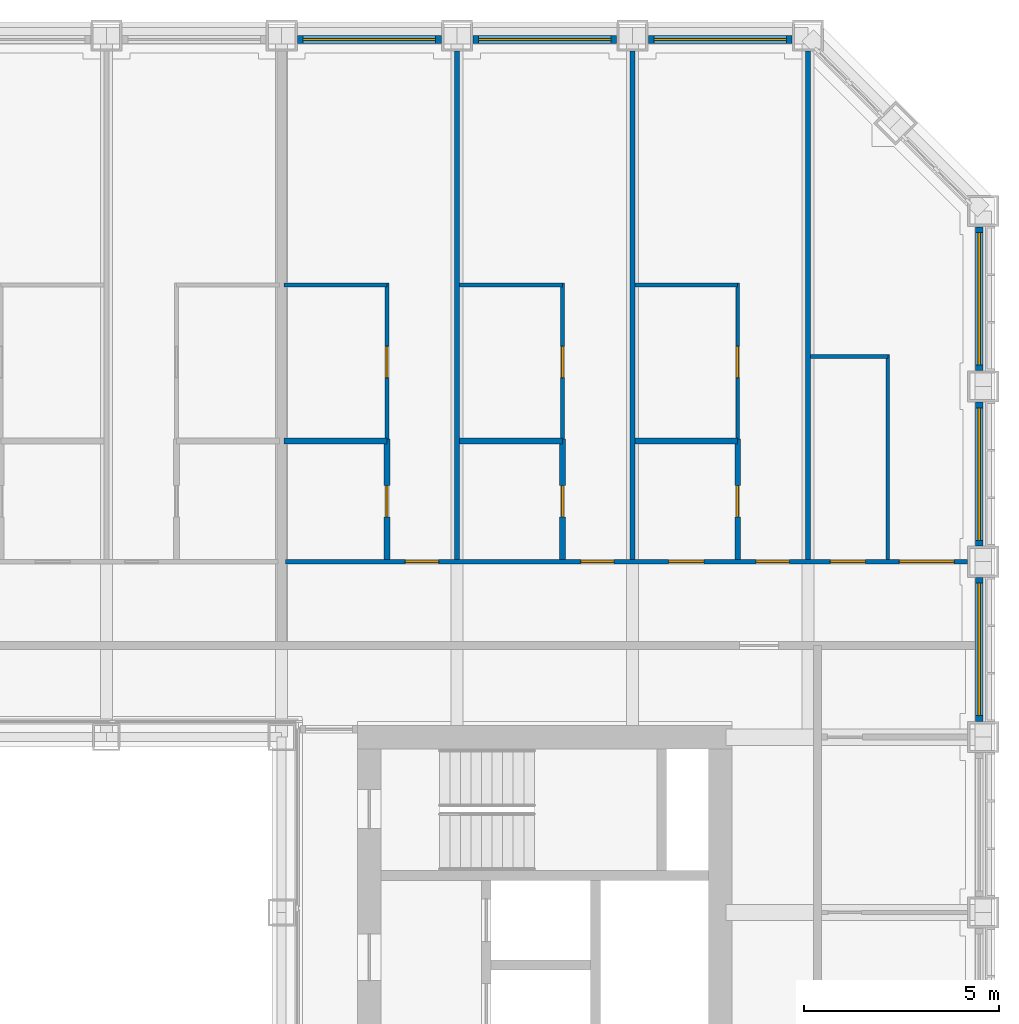
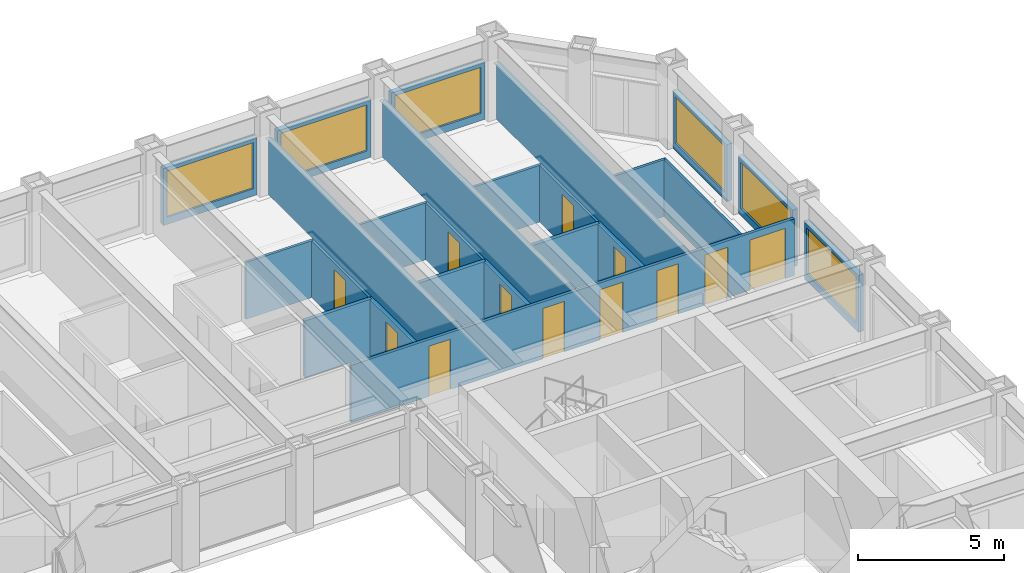
# One storey, part 15 of 21: 24 walls, 12 doors, 6 windows, 18 openings.
"""IFC4 building model written with IfcOpenShell, lengths in metres."""

from ifc_helpers import new_model, si_unit, direction, frame, frame_2d, origin, place, context, subcontext, project, spatial, rectangle, extrude, material, layer, layer_set, type_object, element, fill, save


model = new_model("IFC4")

# Units and contexts
model_context = context("Model", 3, precision=1e-05, world=origin(), true_north=direction((0.0, 1.0)))
body_context = subcontext(model_context, "Body", "Model", "MODEL_VIEW")
ifc_project = project(units=[si_unit("LENGTHUNIT", "METRE"), si_unit("AREAUNIT", "SQUARE_METRE"), si_unit("VOLUMEUNIT", "CUBIC_METRE"), si_unit("PLANEANGLEUNIT", "RADIAN"), si_unit("MASSUNIT", "GRAM", prefix="KILO")], contexts=[model_context])

# Site, building, storey
site_placement = place(None, origin())
site = spatial("IfcSite", under=ifc_project, at=site_placement, CompositionType="ELEMENT")
building_placement = place(site_placement, origin())
building = spatial("IfcBuilding", under=site, at=building_placement, Name="Msasa Ring Tower", CompositionType="ELEMENT")
storey_placement = place(building_placement, frame((0.0, 0.0, 75.5)))
storey = spatial("IfcBuildingStorey", under=building, at=storey_placement, Name="L19", CompositionType="ELEMENT", Elevation=75.5)

# Wall, opening, window
ifc_material_1 = material(Name="Terracotta rainscreen on blockwork", Category="masonry")
ifc_layer_1 = layer(ifc_material_1, 0.199951171875)
ifc_layer_set_1 = layer_set([ifc_layer_1], Name="FW1 TERRACOTTA-LINED INFILL BAY WALL 200")
wall_type_1 = type_object("IfcWallType", Name="FW1 TERRACOTTA-LINED INFILL BAY WALL 200", PredefinedType="SOLIDWALL", material=ifc_layer_set_1)
wall_1_placement = place(storey_placement, frame((24.64990234375, 7.155029296875, 0.0), z_axis=(0.0, 0.0, 1.0), x_axis=(0.0, 1.0, 0.0)))
wall_1 = element("IfcWall", 1, at=wall_1_placement, inside=storey, type_object=wall_type_1, Name="Infill bay wall E L19 17", PredefinedType="SOLIDWALL", context=body_context, shape_type="SweptSolid", body=[
    extrude(rectangle(XDim=3.68994140625, YDim=0.199951171875, at=frame_2d((1.844970703125, 0.0))), origin(), (0.0, 0.0, 1.0), 2.37890625),
])
opening_1_placement = place(wall_1_placement, frame((0.14501953125, 0.0, 0.300048828125)))
opening_1 = element("IfcOpeningElement", 2, at=opening_1_placement, cuts=wall_1, Name="Opening WN1", PredefinedType="OPENING", context=body_context, shape_type="SweptSolid", body=[
    extrude(rectangle(XDim=3.39990234375, YDim=1.928955078125, at=frame_2d((1.699951171875, 0.96435546875))), frame((0.0, 0.10986328125, 0.0), z_axis=(0.0, -1.0, 0.0), x_axis=(1.0, 0.0, 0.0)), (0.0, 0.0, 1.0), 0.219970703125),
])
ifc_material_2 = material(Name="Aluminium frame with clear glass", Category="aluminium")
window_type = type_object("IfcWindowType", Name="WN1 RESIDENCE WINDOW 3400x1929", PartitioningType="SINGLE_PANEL", PredefinedType="WINDOW", material=ifc_material_2)
window_1_placement = place(opening_1_placement, origin())
window_1 = element("IfcWindow", 3, at=window_1_placement, inside=storey, type_object=window_type, Name="Window E L19 17", OverallHeight=1.928955078125, OverallWidth=3.39990234375, PartitioningType="SINGLE_PANEL", PredefinedType="WINDOW", context=body_context, shape_type="SweptSolid", body=[
    extrude(rectangle(XDim=3.39990234375, YDim=1.928955078125, at=frame_2d((1.699951171875, 0.96435546875))), frame((0.0, 0.030029296875, 0.0), z_axis=(0.0, -1.0, 0.0), x_axis=(1.0, 0.0, 0.0)), (0.0, 0.0, 1.0), 0.06005859375),
])
fill(opening_1, window_1)

wall_2_placement = place(storey_placement, frame((24.64990234375, 11.655029296875, 0.0), z_axis=(0.0, 0.0, 1.0), x_axis=(0.0, 1.0, 0.0)))
wall_2 = element("IfcWall", 4, at=wall_2_placement, inside=storey, type_object=wall_type_1, Name="Infill bay wall E L19 18", PredefinedType="SOLIDWALL", context=body_context, shape_type="SweptSolid", body=[
    extrude(rectangle(XDim=3.68994140625, YDim=0.199951171875, at=frame_2d((1.844970703125, 0.0))), origin(), (0.0, 0.0, 1.0), 2.37890625),
])
opening_2_placement = place(wall_2_placement, frame((0.14501953125, 0.0, 0.300048828125)))
opening_2 = element("IfcOpeningElement", 5, at=opening_2_placement, cuts=wall_2, Name="Opening WN1", PredefinedType="OPENING", context=body_context, shape_type="SweptSolid", body=[
    extrude(rectangle(XDim=3.39990234375, YDim=1.928955078125, at=frame_2d((1.699951171875, 0.96435546875))), frame((0.0, 0.10986328125, 0.0), z_axis=(0.0, -1.0, 0.0), x_axis=(1.0, 0.0, 0.0)), (0.0, 0.0, 1.0), 0.219970703125),
])
window_2_placement = place(opening_2_placement, origin())
window_2 = element("IfcWindow", 6, at=window_2_placement, inside=storey, type_object=window_type, Name="Window E L19 18", OverallHeight=1.928955078125, OverallWidth=3.39990234375, PartitioningType="SINGLE_PANEL", PredefinedType="WINDOW", context=body_context, shape_type="SweptSolid", body=[
    extrude(rectangle(XDim=3.39990234375, YDim=1.928955078125, at=frame_2d((1.699951171875, 0.96435546875))), frame((0.0, 0.030029296875, 0.0), z_axis=(0.0, -1.0, 0.0), x_axis=(1.0, 0.0, 0.0)), (0.0, 0.0, 1.0), 0.06005859375),
])
fill(opening_2, window_2)

wall_3_placement = place(storey_placement, frame((24.64990234375, 16.155029296875, 0.0), z_axis=(0.0, 0.0, 1.0), x_axis=(0.0, 1.0, 0.0)))
wall_3 = element("IfcWall", 7, at=wall_3_placement, inside=storey, type_object=wall_type_1, Name="Infill bay wall E L19 19", PredefinedType="SOLIDWALL", context=body_context, shape_type="SweptSolid", body=[
    extrude(rectangle(XDim=3.68994140625, YDim=0.199951171875, at=frame_2d((1.844970703125, 0.0))), origin(), (0.0, 0.0, 1.0), 2.37890625),
])
opening_3_placement = place(wall_3_placement, frame((0.14501953125, 0.0, 0.300048828125)))
opening_3 = element("IfcOpeningElement", 8, at=opening_3_placement, cuts=wall_3, Name="Opening WN1", PredefinedType="OPENING", context=body_context, shape_type="SweptSolid", body=[
    extrude(rectangle(XDim=3.39990234375, YDim=1.928955078125, at=frame_2d((1.699951171875, 0.96435546875))), frame((0.0, 0.10986328125, 0.0), z_axis=(0.0, -1.0, 0.0), x_axis=(1.0, 0.0, 0.0)), (0.0, 0.0, 1.0), 0.219970703125),
])
window_3_placement = place(opening_3_placement, origin())
window_3 = element("IfcWindow", 9, at=window_3_placement, inside=storey, type_object=window_type, Name="Window E L19 19", OverallHeight=1.928955078125, OverallWidth=3.39990234375, PartitioningType="SINGLE_PANEL", PredefinedType="WINDOW", context=body_context, shape_type="SweptSolid", body=[
    extrude(rectangle(XDim=3.39990234375, YDim=1.928955078125, at=frame_2d((1.699951171875, 0.96435546875))), frame((0.0, 0.030029296875, 0.0), z_axis=(0.0, -1.0, 0.0), x_axis=(1.0, 0.0, 0.0)), (0.0, 0.0, 1.0), 0.06005859375),
])
fill(opening_3, window_3)

wall_4_placement = place(storey_placement, frame((7.155029296875, 24.64990234375, 0.0), z_axis=(0.0, 0.0, 1.0), x_axis=(1.0, 0.0, 0.0)))
wall_4 = element("IfcWall", 10, at=wall_4_placement, inside=storey, type_object=wall_type_1, Name="Infill bay wall N L19 28", PredefinedType="SOLIDWALL", context=body_context, shape_type="SweptSolid", body=[
    extrude(rectangle(XDim=3.68994140625, YDim=0.199951171875, at=frame_2d((1.844970703125, 0.0))), origin(), (0.0, 0.0, 1.0), 2.37890625),
])
opening_4_placement = place(wall_4_placement, frame((0.14501953125, 0.0, 0.300048828125)))
opening_4 = element("IfcOpeningElement", 11, at=opening_4_placement, cuts=wall_4, Name="Opening WN1", PredefinedType="OPENING", context=body_context, shape_type="SweptSolid", body=[
    extrude(rectangle(XDim=3.39990234375, YDim=1.928955078125, at=frame_2d((1.699951171875, 0.96435546875))), frame((0.0, 0.10986328125, 0.0), z_axis=(0.0, -1.0, 0.0), x_axis=(1.0, 0.0, 0.0)), (0.0, 0.0, 1.0), 0.219970703125),
])
window_4_placement = place(opening_4_placement, origin())
window_4 = element("IfcWindow", 12, at=window_4_placement, inside=storey, type_object=window_type, Name="Window N L19 28", OverallHeight=1.928955078125, OverallWidth=3.39990234375, PartitioningType="SINGLE_PANEL", PredefinedType="WINDOW", context=body_context, shape_type="SweptSolid", body=[
    extrude(rectangle(XDim=3.39990234375, YDim=1.928955078125, at=frame_2d((1.699951171875, 0.96435546875))), frame((0.0, 0.030029296875, 0.0), z_axis=(0.0, -1.0, 0.0), x_axis=(1.0, 0.0, 0.0)), (0.0, 0.0, 1.0), 0.06005859375),
])
fill(opening_4, window_4)

wall_5_placement = place(storey_placement, frame((11.655029296875, 24.64990234375, 0.0), z_axis=(0.0, 0.0, 1.0), x_axis=(1.0, 0.0, 0.0)))
wall_5 = element("IfcWall", 13, at=wall_5_placement, inside=storey, type_object=wall_type_1, Name="Infill bay wall N L19 29", PredefinedType="SOLIDWALL", context=body_context, shape_type="SweptSolid", body=[
    extrude(rectangle(XDim=3.68994140625, YDim=0.199951171875, at=frame_2d((1.844970703125, 0.0))), origin(), (0.0, 0.0, 1.0), 2.37890625),
])
opening_5_placement = place(wall_5_placement, frame((0.14501953125, 0.0, 0.300048828125)))
opening_5 = element("IfcOpeningElement", 14, at=opening_5_placement, cuts=wall_5, Name="Opening WN1", PredefinedType="OPENING", context=body_context, shape_type="SweptSolid", body=[
    extrude(rectangle(XDim=3.39990234375, YDim=1.928955078125, at=frame_2d((1.699951171875, 0.96435546875))), frame((0.0, 0.10986328125, 0.0), z_axis=(0.0, -1.0, 0.0), x_axis=(1.0, 0.0, 0.0)), (0.0, 0.0, 1.0), 0.219970703125),
])
window_5_placement = place(opening_5_placement, origin())
window_5 = element("IfcWindow", 15, at=window_5_placement, inside=storey, type_object=window_type, Name="Window N L19 29", OverallHeight=1.928955078125, OverallWidth=3.39990234375, PartitioningType="SINGLE_PANEL", PredefinedType="WINDOW", context=body_context, shape_type="SweptSolid", body=[
    extrude(rectangle(XDim=3.39990234375, YDim=1.928955078125, at=frame_2d((1.699951171875, 0.96435546875))), frame((0.0, 0.030029296875, 0.0), z_axis=(0.0, -1.0, 0.0), x_axis=(1.0, 0.0, 0.0)), (0.0, 0.0, 1.0), 0.06005859375),
])
fill(opening_5, window_5)

wall_6_placement = place(storey_placement, frame((16.155029296875, 24.64990234375, 0.0), z_axis=(0.0, 0.0, 1.0), x_axis=(1.0, 0.0, 0.0)))
wall_6 = element("IfcWall", 16, at=wall_6_placement, inside=storey, type_object=wall_type_1, Name="Infill bay wall N L19 30", PredefinedType="SOLIDWALL", context=body_context, shape_type="SweptSolid", body=[
    extrude(rectangle(XDim=3.68994140625, YDim=0.199951171875, at=frame_2d((1.844970703125, 0.0))), origin(), (0.0, 0.0, 1.0), 2.37890625),
])
opening_6_placement = place(wall_6_placement, frame((0.14501953125, 0.0, 0.300048828125)))
opening_6 = element("IfcOpeningElement", 17, at=opening_6_placement, cuts=wall_6, Name="Opening WN1", PredefinedType="OPENING", context=body_context, shape_type="SweptSolid", body=[
    extrude(rectangle(XDim=3.39990234375, YDim=1.928955078125, at=frame_2d((1.699951171875, 0.96435546875))), frame((0.0, 0.10986328125, 0.0), z_axis=(0.0, -1.0, 0.0), x_axis=(1.0, 0.0, 0.0)), (0.0, 0.0, 1.0), 0.219970703125),
])
window_6_placement = place(opening_6_placement, origin())
window_6 = element("IfcWindow", 18, at=window_6_placement, inside=storey, type_object=window_type, Name="Window N L19 30", OverallHeight=1.928955078125, OverallWidth=3.39990234375, PartitioningType="SINGLE_PANEL", PredefinedType="WINDOW", context=body_context, shape_type="SweptSolid", body=[
    extrude(rectangle(XDim=3.39990234375, YDim=1.928955078125, at=frame_2d((1.699951171875, 0.96435546875))), frame((0.0, 0.030029296875, 0.0), z_axis=(0.0, -1.0, 0.0), x_axis=(1.0, 0.0, 0.0)), (0.0, 0.0, 1.0), 0.06005859375),
])
fill(opening_6, window_6)

# Walls
ifc_material_3 = material(Name="Gypsum board on steel studs", Category="steel")
ifc_layer_2 = layer(ifc_material_3, 0.10009765625)
ifc_layer_set_2 = layer_set([ifc_layer_2], Name="PT2 STUD PARTITION 100")
wall_type_2 = type_object("IfcWallType", Name="PT2 STUD PARTITION 100", PredefinedType="PARTITIONING", material=ifc_layer_set_2)
wall_7_placement = place(storey_placement, frame((22.300048828125, 11.3125, 0.0), z_axis=(0.0, 0.0, 1.0), x_axis=(0.0, 1.0, 0.0)))
element("IfcWall", 19, at=wall_7_placement, inside=storey, type_object=wall_type_2, Name="Partition L19-UN02KX", PredefinedType="PARTITIONING", context=body_context, shape_type="SweptSolid", body=[
    extrude(rectangle(XDim=5.25, YDim=0.10009765625, at=frame_2d((2.625, 0.0))), origin(), (0.0, 0.0, 1.0), 2.373291015625),
])
wall_8_placement = place(storey_placement, frame((20.3125, 16.512451171875, 0.0), z_axis=(0.0, 0.0, 1.0), x_axis=(1.0, 0.0, 0.0)))
element("IfcWall", 20, at=wall_8_placement, inside=storey, type_object=wall_type_2, Name="Partition L19-UN02KY", PredefinedType="PARTITIONING", context=body_context, shape_type="SweptSolid", body=[
    extrude(rectangle(XDim=1.987548828125, YDim=0.10009765625, at=frame_2d((0.99365234375, 0.0))), origin(), (0.0, 0.0, 1.0), 2.373291015625),
])

# Wall, opening, door
wall_9_placement = place(storey_placement, frame((18.449951171875, 14.39990234375, 0.0), z_axis=(0.0, 0.0, 1.0), x_axis=(0.0, 1.0, 0.0)))
wall_9 = element("IfcWall", 21, at=wall_9_placement, inside=storey, type_object=wall_type_2, Name="Partition L19-UN02WX1", PredefinedType="PARTITIONING", context=body_context, shape_type="SweptSolid", body=[
    extrude(rectangle(XDim=4.00048828125, YDim=0.10009765625, at=frame_2d((2.000244140625, 0.0))), origin(), (0.0, 0.0, 1.0), 2.373291015625),
])
opening_7_placement = place(wall_9_placement, frame((1.5751953125, 0.0, 0.0)))
opening_7 = element("IfcOpeningElement", 22, at=opening_7_placement, cuts=wall_9, Name="Opening RE-008", PredefinedType="OPENING", context=body_context, shape_type="SweptSolid", body=[
    extrude(rectangle(XDim=0.800048828125, YDim=2.10009765625, at=frame_2d((0.39990234375, 1.050048828125))), frame((0.0, 0.06005859375, 0.0), z_axis=(0.0, -1.0, 0.0), x_axis=(1.0, 0.0, 0.0)), (0.0, 0.0, 1.0), 0.1201171875),
])
ifc_material_4 = material(Name="Timber door leaf in a steel frame", Category="steel")
door_type_1 = type_object("IfcDoorType", Name="D60 DRESSING ROOM DOOR 800x2100", OperationType="SINGLE_SWING_LEFT", PredefinedType="DOOR", material=ifc_material_4)
door_1_placement = place(opening_7_placement, origin())
door_1 = element("IfcDoor", 23, at=door_1_placement, inside=storey, type_object=door_type_1, Name="Door L19-UN02W1", OperationType="SINGLE_SWING_LEFT", OverallHeight=2.10009765625, OverallWidth=0.800048828125, PredefinedType="DOOR", context=body_context, shape_type="SweptSolid", body=[
    extrude(rectangle(XDim=0.800048828125, YDim=2.10009765625, at=frame_2d((0.39990234375, 1.050048828125))), frame((0.0, 0.02490234375, 0.0), z_axis=(0.0, -1.0, 0.0), x_axis=(1.0, 0.0, 0.0)), (0.0, 0.0, 1.0), 0.050048828125),
])
fill(opening_7, door_1)

# Wall
wall_10_placement = place(storey_placement, frame((15.81005859375, 18.350341796875, 0.0), z_axis=(0.0, 0.0, 1.0), x_axis=(1.0, 0.0, 0.0)))
element("IfcWall", 24, at=wall_10_placement, inside=storey, type_object=wall_type_2, Name="Partition L19-UN02WY1", PredefinedType="PARTITIONING", context=body_context, shape_type="SweptSolid", body=[
    extrude(rectangle(XDim=2.639892578125, YDim=0.10009765625, at=frame_2d((1.31982421875, 0.0))), origin(), (0.0, 0.0, 1.0), 2.373291015625),
])

# Wall, opening, door
wall_11_placement = place(storey_placement, frame((13.949951171875, 14.39990234375, 0.0), z_axis=(0.0, 0.0, 1.0), x_axis=(0.0, 1.0, 0.0)))
wall_11 = element("IfcWall", 25, at=wall_11_placement, inside=storey, type_object=wall_type_2, Name="Partition L19-UN02WX2", PredefinedType="PARTITIONING", context=body_context, shape_type="SweptSolid", body=[
    extrude(rectangle(XDim=4.003173828125, YDim=0.10009765625, at=frame_2d((2.00146484375, 0.0))), origin(), (0.0, 0.0, 1.0), 2.373291015625),
])
opening_8_placement = place(wall_11_placement, frame((1.576416015625, 0.0, 0.0)))
opening_8 = element("IfcOpeningElement", 26, at=opening_8_placement, cuts=wall_11, Name="Opening RE-007", PredefinedType="OPENING", context=body_context, shape_type="SweptSolid", body=[
    extrude(rectangle(XDim=0.800048828125, YDim=2.10009765625, at=frame_2d((0.39990234375, 1.050048828125))), frame((0.0, 0.06005859375, 0.0), z_axis=(0.0, -1.0, 0.0), x_axis=(1.0, 0.0, 0.0)), (0.0, 0.0, 1.0), 0.1201171875),
])
door_2_placement = place(opening_8_placement, origin())
door_2 = element("IfcDoor", 27, at=door_2_placement, inside=storey, type_object=door_type_1, Name="Door L19-UN02W2", OperationType="SINGLE_SWING_LEFT", OverallHeight=2.10009765625, OverallWidth=0.800048828125, PredefinedType="DOOR", context=body_context, shape_type="SweptSolid", body=[
    extrude(rectangle(XDim=0.800048828125, YDim=2.10009765625, at=frame_2d((0.39990234375, 1.050048828125))), frame((0.0, 0.02490234375, 0.0), z_axis=(0.0, -1.0, 0.0), x_axis=(1.0, 0.0, 0.0)), (0.0, 0.0, 1.0), 0.050048828125),
])
fill(opening_8, door_2)

# Wall
wall_12_placement = place(storey_placement, frame((11.31005859375, 18.35302734375, 0.0), z_axis=(0.0, 0.0, 1.0), x_axis=(1.0, 0.0, 0.0)))
element("IfcWall", 28, at=wall_12_placement, inside=storey, type_object=wall_type_2, Name="Partition L19-UN02WY2", PredefinedType="PARTITIONING", context=body_context, shape_type="SweptSolid", body=[
    extrude(rectangle(XDim=2.639892578125, YDim=0.10009765625, at=frame_2d((1.31982421875, 0.0))), origin(), (0.0, 0.0, 1.0), 2.373291015625),
])

# Wall, opening, door
wall_13_placement = place(storey_placement, frame((9.449951171875, 14.39990234375, 0.0), z_axis=(0.0, 0.0, 1.0), x_axis=(0.0, 1.0, 0.0)))
wall_13 = element("IfcWall", 29, at=wall_13_placement, inside=storey, type_object=wall_type_2, Name="Partition L19-UN02WX3", PredefinedType="PARTITIONING", context=body_context, shape_type="SweptSolid", body=[
    extrude(rectangle(XDim=4.003173828125, YDim=0.10009765625, at=frame_2d((2.00146484375, 0.0))), origin(), (0.0, 0.0, 1.0), 2.373291015625),
])
opening_9_placement = place(wall_13_placement, frame((1.576416015625, 0.0, 0.0)))
opening_9 = element("IfcOpeningElement", 30, at=opening_9_placement, cuts=wall_13, Name="Opening RE-006", PredefinedType="OPENING", context=body_context, shape_type="SweptSolid", body=[
    extrude(rectangle(XDim=0.800048828125, YDim=2.10009765625, at=frame_2d((0.39990234375, 1.050048828125))), frame((0.0, 0.06005859375, 0.0), z_axis=(0.0, -1.0, 0.0), x_axis=(1.0, 0.0, 0.0)), (0.0, 0.0, 1.0), 0.1201171875),
])
door_3_placement = place(opening_9_placement, origin())
door_3 = element("IfcDoor", 31, at=door_3_placement, inside=storey, type_object=door_type_1, Name="Door L19-UN02W3", OperationType="SINGLE_SWING_LEFT", OverallHeight=2.10009765625, OverallWidth=0.800048828125, PredefinedType="DOOR", context=body_context, shape_type="SweptSolid", body=[
    extrude(rectangle(XDim=0.800048828125, YDim=2.10009765625, at=frame_2d((0.39990234375, 1.050048828125))), frame((0.0, 0.02490234375, 0.0), z_axis=(0.0, -1.0, 0.0), x_axis=(1.0, 0.0, 0.0)), (0.0, 0.0, 1.0), 0.050048828125),
])
fill(opening_9, door_3)

# Wall
wall_14_placement = place(storey_placement, frame((6.81005859375, 18.35302734375, 0.0), z_axis=(0.0, 0.0, 1.0), x_axis=(1.0, 0.0, 0.0)))
element("IfcWall", 32, at=wall_14_placement, inside=storey, type_object=wall_type_2, Name="Partition L19-UN02WY3", PredefinedType="PARTITIONING", context=body_context, shape_type="SweptSolid", body=[
    extrude(rectangle(XDim=2.639892578125, YDim=0.10009765625, at=frame_2d((1.31982421875, 0.0))), origin(), (0.0, 0.0, 1.0), 2.373291015625),
])

# Wall, opening, door
ifc_material_5 = material(Name="Moisture-resistant board on steel studs with a concealed cistern and pipe void, tiled", Category="steel")
ifc_layer_3 = layer(ifc_material_5, 0.14990234375)
ifc_layer_set_3 = layer_set([ifc_layer_3], Name="PT4 BATHROOM WET WALL 150")
wall_type_3 = type_object("IfcWallType", Name="PT4 BATHROOM WET WALL 150", PredefinedType="PARTITIONING", material=ifc_layer_set_3)
wall_15_placement = place(storey_placement, frame((18.449951171875, 11.3125, 0.0), z_axis=(0.0, 0.0, 1.0), x_axis=(0.0, 1.0, 0.0)))
wall_15 = element("IfcWall", 33, at=wall_15_placement, inside=storey, type_object=wall_type_3, Name="Partition L19-UN02BX1", PredefinedType="PARTITIONING", context=body_context, shape_type="SweptSolid", body=[
    extrude(rectangle(XDim=3.08740234375, YDim=0.14990234375, at=frame_2d((1.543701171875, 0.0))), origin(), (0.0, 0.0, 1.0), 2.373291015625),
])
opening_10_placement = place(wall_15_placement, frame((1.08740234375, 0.0, 0.0)))
opening_10 = element("IfcOpeningElement", 34, at=opening_10_placement, cuts=wall_15, Name="Opening RE-016", PredefinedType="OPENING", context=body_context, shape_type="SweptSolid", body=[
    extrude(rectangle(XDim=0.800048828125, YDim=2.10009765625, at=frame_2d((0.39990234375, 1.050048828125))), frame((0.0, 0.0849609375, 0.0), z_axis=(0.0, -1.0, 0.0), x_axis=(1.0, 0.0, 0.0)), (0.0, 0.0, 1.0), 0.169921875),
])
ifc_material_6 = material(Name="Timber door leaf in a steel frame", Category="steel")
door_type_2 = type_object("IfcDoorType", Name="D21 POCKET SLIDING BATHROOM DOOR 800x2100", OperationType="SINGLE_SWING_LEFT", PredefinedType="DOOR", material=ifc_material_6)
door_4_placement = place(opening_10_placement, origin())
door_4 = element("IfcDoor", 35, at=door_4_placement, inside=storey, type_object=door_type_2, Name="Door L19-UN02B1", OperationType="SINGLE_SWING_LEFT", OverallHeight=2.10009765625, OverallWidth=0.800048828125, PredefinedType="DOOR", context=body_context, shape_type="SweptSolid", body=[
    extrude(rectangle(XDim=0.800048828125, YDim=2.10009765625, at=frame_2d((0.39990234375, 1.050048828125))), frame((0.0, 0.02490234375, 0.0), z_axis=(0.0, -1.0, 0.0), x_axis=(1.0, 0.0, 0.0)), (0.0, 0.0, 1.0), 0.050048828125),
])
fill(opening_10, door_4)

# Wall
wall_16_placement = place(storey_placement, frame((15.81005859375, 14.35009765625, 0.0), z_axis=(0.0, 0.0, 1.0), x_axis=(1.0, 0.0, 0.0)))
element("IfcWall", 36, at=wall_16_placement, inside=storey, type_object=wall_type_3, Name="Partition L19-UN02BY1", PredefinedType="PARTITIONING", context=body_context, shape_type="SweptSolid", body=[
    extrude(rectangle(XDim=2.639892578125, YDim=0.14990234375, at=frame_2d((1.31982421875, 0.0))), origin(), (0.0, 0.0, 1.0), 2.373291015625),
])

# Wall, opening, door
wall_17_placement = place(storey_placement, frame((13.949951171875, 11.3125, 0.0), z_axis=(0.0, 0.0, 1.0), x_axis=(0.0, 1.0, 0.0)))
wall_17 = element("IfcWall", 37, at=wall_17_placement, inside=storey, type_object=wall_type_3, Name="Partition L19-UN02BX2", PredefinedType="PARTITIONING", context=body_context, shape_type="SweptSolid", body=[
    extrude(rectangle(XDim=3.08740234375, YDim=0.14990234375, at=frame_2d((1.543701171875, 0.0))), origin(), (0.0, 0.0, 1.0), 2.373291015625),
])
opening_11_placement = place(wall_17_placement, frame((1.08740234375, 0.0, 0.0)))
opening_11 = element("IfcOpeningElement", 38, at=opening_11_placement, cuts=wall_17, Name="Opening RE-015", PredefinedType="OPENING", context=body_context, shape_type="SweptSolid", body=[
    extrude(rectangle(XDim=0.800048828125, YDim=2.10009765625, at=frame_2d((0.39990234375, 1.050048828125))), frame((0.0, 0.0849609375, 0.0), z_axis=(0.0, -1.0, 0.0), x_axis=(1.0, 0.0, 0.0)), (0.0, 0.0, 1.0), 0.169921875),
])
door_5_placement = place(opening_11_placement, origin())
door_5 = element("IfcDoor", 39, at=door_5_placement, inside=storey, type_object=door_type_2, Name="Door L19-UN02B2", OperationType="SINGLE_SWING_LEFT", OverallHeight=2.10009765625, OverallWidth=0.800048828125, PredefinedType="DOOR", context=body_context, shape_type="SweptSolid", body=[
    extrude(rectangle(XDim=0.800048828125, YDim=2.10009765625, at=frame_2d((0.39990234375, 1.050048828125))), frame((0.0, 0.02490234375, 0.0), z_axis=(0.0, -1.0, 0.0), x_axis=(1.0, 0.0, 0.0)), (0.0, 0.0, 1.0), 0.050048828125),
])
fill(opening_11, door_5)

# Wall
wall_18_placement = place(storey_placement, frame((11.31005859375, 14.35009765625, 0.0), z_axis=(0.0, 0.0, 1.0), x_axis=(1.0, 0.0, 0.0)))
element("IfcWall", 40, at=wall_18_placement, inside=storey, type_object=wall_type_3, Name="Partition L19-UN02BY2", PredefinedType="PARTITIONING", context=body_context, shape_type="SweptSolid", body=[
    extrude(rectangle(XDim=2.639892578125, YDim=0.14990234375, at=frame_2d((1.31982421875, 0.0))), origin(), (0.0, 0.0, 1.0), 2.373291015625),
])

# Wall, opening, door
wall_19_placement = place(storey_placement, frame((9.449951171875, 11.3125, 0.0), z_axis=(0.0, 0.0, 1.0), x_axis=(0.0, 1.0, 0.0)))
wall_19 = element("IfcWall", 41, at=wall_19_placement, inside=storey, type_object=wall_type_3, Name="Partition L19-UN02BX3", PredefinedType="PARTITIONING", context=body_context, shape_type="SweptSolid", body=[
    extrude(rectangle(XDim=3.08740234375, YDim=0.14990234375, at=frame_2d((1.543701171875, 0.0))), origin(), (0.0, 0.0, 1.0), 2.373291015625),
])
opening_12_placement = place(wall_19_placement, frame((1.08740234375, 0.0, 0.0)))
opening_12 = element("IfcOpeningElement", 42, at=opening_12_placement, cuts=wall_19, Name="Opening RE-014", PredefinedType="OPENING", context=body_context, shape_type="SweptSolid", body=[
    extrude(rectangle(XDim=0.800048828125, YDim=2.10009765625, at=frame_2d((0.39990234375, 1.050048828125))), frame((0.0, 0.0849609375, 0.0), z_axis=(0.0, -1.0, 0.0), x_axis=(1.0, 0.0, 0.0)), (0.0, 0.0, 1.0), 0.169921875),
])
door_6_placement = place(opening_12_placement, origin())
door_6 = element("IfcDoor", 43, at=door_6_placement, inside=storey, type_object=door_type_2, Name="Door L19-UN02B3", OperationType="SINGLE_SWING_LEFT", OverallHeight=2.10009765625, OverallWidth=0.800048828125, PredefinedType="DOOR", context=body_context, shape_type="SweptSolid", body=[
    extrude(rectangle(XDim=0.800048828125, YDim=2.10009765625, at=frame_2d((0.39990234375, 1.050048828125))), frame((0.0, 0.02490234375, 0.0), z_axis=(0.0, -1.0, 0.0), x_axis=(1.0, 0.0, 0.0)), (0.0, 0.0, 1.0), 0.050048828125),
])
fill(opening_12, door_6)

# Wall
wall_20_placement = place(storey_placement, frame((6.81005859375, 14.35009765625, 0.0), z_axis=(0.0, 0.0, 1.0), x_axis=(1.0, 0.0, 0.0)))
element("IfcWall", 44, at=wall_20_placement, inside=storey, type_object=wall_type_3, Name="Partition L19-UN02BY3", PredefinedType="PARTITIONING", context=body_context, shape_type="SweptSolid", body=[
    extrude(rectangle(XDim=2.639892578125, YDim=0.14990234375, at=frame_2d((1.31982421875, 0.0))), origin(), (0.0, 0.0, 1.0), 2.373291015625),
])

# Wall, openings, doors
ifc_material_7 = material(Name="Two layers of acoustic board each face on steel studs, mineral wool", Category="steel")
ifc_layer_4 = layer(ifc_material_7, 0.125)
ifc_layer_set_4 = layer_set([ifc_layer_4], Name="PT6 ACOUSTIC DOUBLE-BOARD PARTITION 125")
wall_type_4 = type_object("IfcWallType", Name="PT6 ACOUSTIC DOUBLE-BOARD PARTITION 125", PredefinedType="PARTITIONING", material=ifc_layer_set_4)
wall_21_placement = place(storey_placement, frame((6.85009765625, 11.25, 0.0), z_axis=(0.0, 0.0, 1.0), x_axis=(1.0, 0.0, 0.0)))
wall_21 = element("IfcWall", 45, at=wall_21_placement, inside=storey, type_object=wall_type_4, Name="Partition L19-UN02HY", PredefinedType="PARTITIONING", context=body_context, shape_type="SweptSolid", body=[
    extrude(rectangle(XDim=17.5, YDim=0.125, at=frame_2d((8.75, 0.0))), origin(), (0.0, 0.0, 1.0), 2.373291015625),
])
opening_13_placement = place(wall_21_placement, frame((13.97509765625, 0.0, 0.0)))
opening_13 = element("IfcOpeningElement", 46, at=opening_13_placement, cuts=wall_21, Name="Opening RE-032", PredefinedType="OPENING", context=body_context, shape_type="SweptSolid", body=[
    extrude(rectangle(XDim=0.89990234375, YDim=2.10009765625, at=frame_2d((0.449951171875, 1.050048828125))), frame((0.0, 0.072509765625, 0.0), z_axis=(0.0, -1.0, 0.0), x_axis=(1.0, 0.0, 0.0)), (0.0, 0.0, 1.0), 0.14501953125),
])
opening_14_placement = place(wall_21_placement, frame((15.75, 0.0, 0.0)))
opening_14 = element("IfcOpeningElement", 47, at=opening_14_placement, cuts=wall_21, Name="Opening RE-033", PredefinedType="OPENING", context=body_context, shape_type="SweptSolid", body=[
    extrude(rectangle(XDim=1.39990234375, YDim=2.10009765625, at=frame_2d((0.699951171875, 1.050048828125))), frame((0.0, 0.072509765625, 0.0), z_axis=(0.0, -1.0, 0.0), x_axis=(1.0, 0.0, 0.0)), (0.0, 0.0, 1.0), 0.14501953125),
])
opening_15_placement = place(wall_21_placement, frame((12.074951171875, 0.0, 0.0)))
opening_15 = element("IfcOpeningElement", 48, at=opening_15_placement, cuts=wall_21, Name="Opening RE-031", PredefinedType="OPENING", context=body_context, shape_type="SweptSolid", body=[
    extrude(rectangle(XDim=0.85009765625, YDim=2.10009765625, at=frame_2d((0.425048828125, 1.050048828125))), frame((0.0, 0.072509765625, 0.0), z_axis=(0.0, -1.0, 0.0), x_axis=(1.0, 0.0, 0.0)), (0.0, 0.0, 1.0), 0.14501953125),
])
opening_16_placement = place(wall_21_placement, frame((9.830078125, 0.0, 0.0)))
opening_16 = element("IfcOpeningElement", 49, at=opening_16_placement, cuts=wall_21, Name="Opening RE-030", PredefinedType="OPENING", context=body_context, shape_type="SweptSolid", body=[
    extrude(rectangle(XDim=0.89990234375, YDim=2.10009765625, at=frame_2d((0.449951171875, 1.050048828125))), frame((0.0, 0.072509765625, 0.0), z_axis=(0.0, -1.0, 0.0), x_axis=(1.0, 0.0, 0.0)), (0.0, 0.0, 1.0), 0.14501953125),
])
opening_17_placement = place(wall_21_placement, frame((7.574951171875, 0.0, 0.0)))
opening_17 = element("IfcOpeningElement", 50, at=opening_17_placement, cuts=wall_21, Name="Opening RE-029", PredefinedType="OPENING", context=body_context, shape_type="SweptSolid", body=[
    extrude(rectangle(XDim=0.85009765625, YDim=2.10009765625, at=frame_2d((0.425048828125, 1.050048828125))), frame((0.0, 0.072509765625, 0.0), z_axis=(0.0, -1.0, 0.0), x_axis=(1.0, 0.0, 0.0)), (0.0, 0.0, 1.0), 0.14501953125),
])
opening_18_placement = place(wall_21_placement, frame((3.074951171875, 0.0, 0.0)))
opening_18 = element("IfcOpeningElement", 51, at=opening_18_placement, cuts=wall_21, Name="Opening RE-028", PredefinedType="OPENING", context=body_context, shape_type="SweptSolid", body=[
    extrude(rectangle(XDim=0.85009765625, YDim=2.10009765625, at=frame_2d((0.425048828125, 1.050048828125))), frame((0.0, 0.072509765625, 0.0), z_axis=(0.0, -1.0, 0.0), x_axis=(1.0, 0.0, 0.0)), (0.0, 0.0, 1.0), 0.14501953125),
])
ifc_material_8 = material(Name="Timber door leaf in a steel frame", Category="steel")
door_type_3 = type_object("IfcDoorType", Name="D14 BEDROOM DOOR 850x2100", OperationType="SINGLE_SWING_LEFT", PredefinedType="DOOR", material=ifc_material_8)
door_7_placement = place(opening_15_placement, origin())
door_7 = element("IfcDoor", 52, at=door_7_placement, inside=storey, type_object=door_type_3, Name="Door L19-UN02R1", OperationType="SINGLE_SWING_RIGHT", OverallHeight=2.10009765625, OverallWidth=0.85009765625, PredefinedType="DOOR", context=body_context, shape_type="SweptSolid", body=[
    extrude(rectangle(XDim=0.85009765625, YDim=2.10009765625, at=frame_2d((0.425048828125, 1.050048828125))), frame((0.0, 0.02490234375, 0.0), z_axis=(0.0, -1.0, 0.0), x_axis=(1.0, 0.0, 0.0)), (0.0, 0.0, 1.0), 0.050048828125),
])
fill(opening_15, door_7)
door_8_placement = place(opening_17_placement, origin())
door_8 = element("IfcDoor", 53, at=door_8_placement, inside=storey, type_object=door_type_3, Name="Door L19-UN02R2", OperationType="SINGLE_SWING_LEFT", OverallHeight=2.10009765625, OverallWidth=0.85009765625, PredefinedType="DOOR", context=body_context, shape_type="SweptSolid", body=[
    extrude(rectangle(XDim=0.85009765625, YDim=2.10009765625, at=frame_2d((0.425048828125, 1.050048828125))), frame((0.0, 0.02490234375, 0.0), z_axis=(0.0, -1.0, 0.0), x_axis=(1.0, 0.0, 0.0)), (0.0, 0.0, 1.0), 0.050048828125),
])
fill(opening_17, door_8)
door_9_placement = place(opening_18_placement, origin())
door_9 = element("IfcDoor", 54, at=door_9_placement, inside=storey, type_object=door_type_3, Name="Door L19-UN02R3", OperationType="SINGLE_SWING_LEFT", OverallHeight=2.10009765625, OverallWidth=0.85009765625, PredefinedType="DOOR", context=body_context, shape_type="SweptSolid", body=[
    extrude(rectangle(XDim=0.85009765625, YDim=2.10009765625, at=frame_2d((0.425048828125, 1.050048828125))), frame((0.0, 0.02490234375, 0.0), z_axis=(0.0, -1.0, 0.0), x_axis=(1.0, 0.0, 0.0)), (0.0, 0.0, 1.0), 0.050048828125),
])
fill(opening_18, door_9)
ifc_material_9 = material(Name="Timber door leaf in a steel frame", Category="steel")
door_type_4 = type_object("IfcDoorType", Name="D15 LIVING ROOM PAIR OF GLAZED DOORS 1400x2100", OperationType="SINGLE_SWING_LEFT", PredefinedType="DOOR", material=ifc_material_9)
door_10_placement = place(opening_14_placement, origin())
door_10 = element("IfcDoor", 55, at=door_10_placement, inside=storey, type_object=door_type_4, Name="Door L19-UN02L", OperationType="SINGLE_SWING_RIGHT", OverallHeight=2.10009765625, OverallWidth=1.39990234375, PredefinedType="DOOR", context=body_context, shape_type="SweptSolid", body=[
    extrude(rectangle(XDim=1.39990234375, YDim=2.10009765625, at=frame_2d((0.699951171875, 1.050048828125))), frame((0.0, 0.02490234375, 0.0), z_axis=(0.0, -1.0, 0.0), x_axis=(1.0, 0.0, 0.0)), (0.0, 0.0, 1.0), 0.050048828125),
])
fill(opening_14, door_10)
ifc_material_10 = material(Name="Timber door leaf in a steel frame", Category="steel")
door_type_5 = type_object("IfcDoorType", Name="D22 INTERNAL HALL DOOR 900x2100", OperationType="SINGLE_SWING_LEFT", PredefinedType="DOOR", material=ifc_material_10)
door_11_placement = place(opening_13_placement, origin())
door_11 = element("IfcDoor", 56, at=door_11_placement, inside=storey, type_object=door_type_5, Name="Door L19-UN02K", OperationType="SINGLE_SWING_RIGHT", OverallHeight=2.10009765625, OverallWidth=0.89990234375, PredefinedType="DOOR", context=body_context, shape_type="SweptSolid", body=[
    extrude(rectangle(XDim=0.89990234375, YDim=2.10009765625, at=frame_2d((0.449951171875, 1.050048828125))), frame((0.0, 0.02490234375, 0.0), z_axis=(0.0, -1.0, 0.0), x_axis=(1.0, 0.0, 0.0)), (0.0, 0.0, 1.0), 0.050048828125),
])
fill(opening_13, door_11)
ifc_material_11 = material(Name="Timber door leaf in a steel frame", Category="steel")
door_type_6 = type_object("IfcDoorType", Name="D3 BATHROOM DOOR 900x2100", OperationType="SINGLE_SWING_LEFT", PredefinedType="DOOR", material=ifc_material_11)
door_12_placement = place(opening_16_placement, origin())
door_12 = element("IfcDoor", 57, at=door_12_placement, inside=storey, type_object=door_type_6, Name="Door L19-UN02BH1", OperationType="SINGLE_SWING_RIGHT", OverallHeight=2.10009765625, OverallWidth=0.89990234375, PredefinedType="DOOR", context=body_context, shape_type="SweptSolid", body=[
    extrude(rectangle(XDim=0.89990234375, YDim=2.10009765625, at=frame_2d((0.449951171875, 1.050048828125))), frame((0.0, 0.02490234375, 0.0), z_axis=(0.0, -1.0, 0.0), x_axis=(1.0, 0.0, 0.0)), (0.0, 0.0, 1.0), 0.050048828125),
])
fill(opening_16, door_12)

# Walls
for number, where, z_axis, x_axis, name in (
    (58, (20.25, 11.3125, 0.0), (0.0, 0.0, 1.0), (0.0, 1.0, 0.0), "Partition L19-UN02P1"),
    (59, (15.75, 11.3125, 0.0), (0.0, 0.0, 1.0), (0.0, 1.0, 0.0), "Partition L19-UN02P2"),
    (60, (11.25, 11.3125, 0.0), (0.0, 0.0, 1.0), (0.0, 1.0, 0.0), "Partition L19-UN02P3"),
):
    element("IfcWall", number, at=place(storey_placement, frame(where, z_axis=z_axis, x_axis=x_axis)), inside=storey, type_object=wall_type_4, Name=name, PredefinedType="PARTITIONING", context=body_context, shape_type="SweptSolid", body=[
        extrude(rectangle(XDim=13.03759765625, YDim=0.125, at=frame_2d((6.518798828125, 0.0))), origin(), (0.0, 0.0, 1.0), 2.373291015625),
    ])

save(model, "model.ifc")
